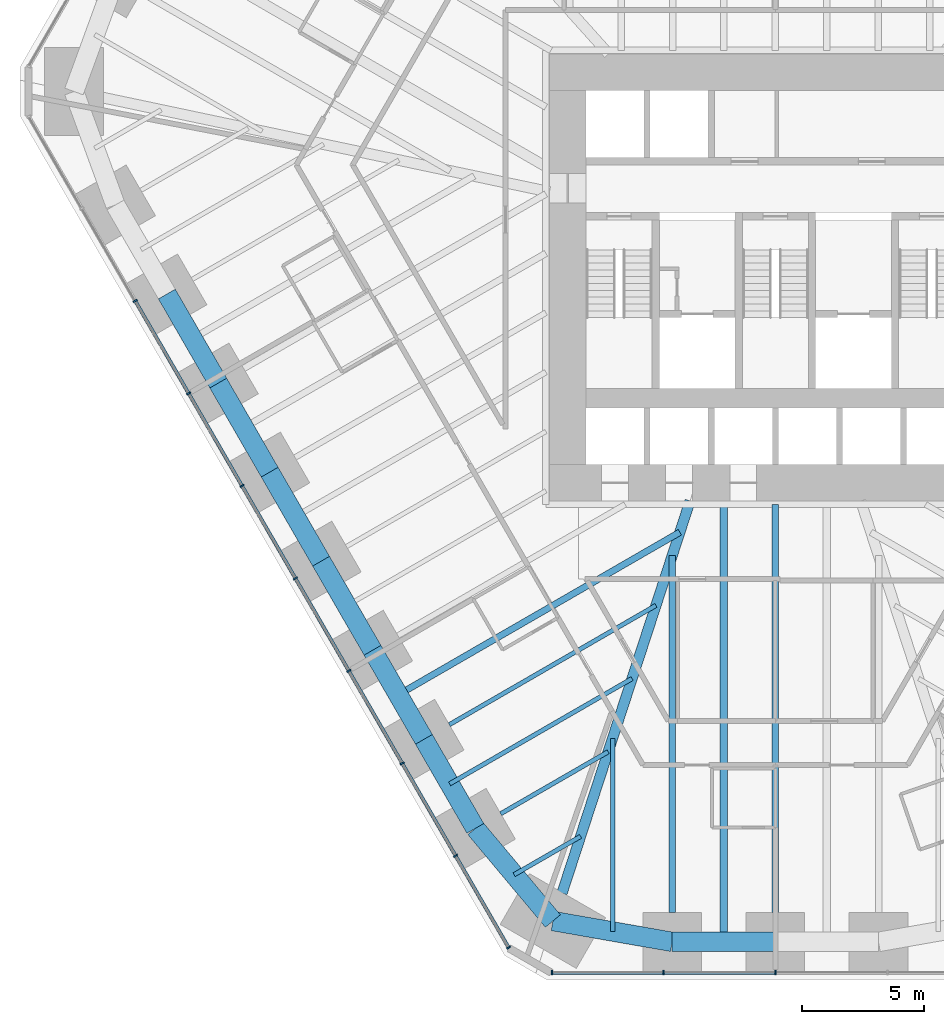
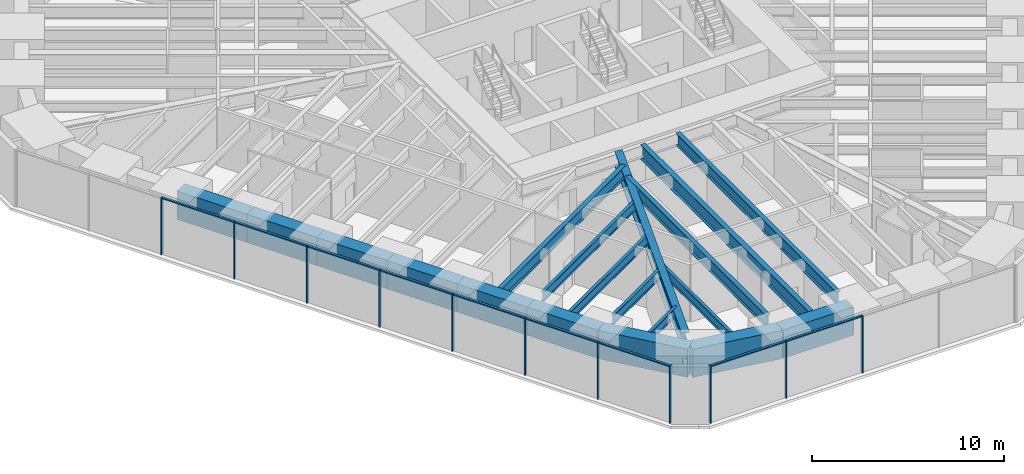
# One storey, part 2 of 17: 20 members, 19 beams, 2 elements without a shape of their own.
"""IFC4 building model written with IfcOpenShell, lengths in metres."""

from ifc_helpers import new_model, si_unit, direction, frame, origin, origin_2d, place, context, subcontext, project, spatial, rectangle, i_section, extrude, material, material_profile, profile_set, type_object, element, aggregate, save


model = new_model("IFC4")

# Units and contexts
model_context = context("Model", 3, precision=1e-05, world=origin(), true_north=direction((0.0, 1.0)))
body_context = subcontext(model_context, "Body", "Model", "MODEL_VIEW")
ifc_project = project(units=[si_unit("LENGTHUNIT", "METRE"), si_unit("AREAUNIT", "SQUARE_METRE"), si_unit("VOLUMEUNIT", "CUBIC_METRE"), si_unit("PLANEANGLEUNIT", "RADIAN"), si_unit("MASSUNIT", "GRAM", prefix="KILO")], contexts=[model_context])

# Site, building, storey
site_placement = place(None, origin())
site = spatial("IfcSite", under=ifc_project, at=site_placement, CompositionType="ELEMENT")
building_placement = place(site_placement, origin())
building = spatial("IfcBuilding", under=site, at=building_placement, Name="Sandreach Pilgrim Tower", CompositionType="ELEMENT")
storey_placement = place(building_placement, frame((0.0, 0.0, 45.800048828125)))
storey = spatial("IfcBuildingStorey", under=building, at=storey_placement, Name="L10", CompositionType="ELEMENT", Elevation=45.800048828125)

# Curtain wall, members
ifc_material_1 = material(Name="Aluminium framed curtain wall", Category="aluminium")
curtain_wall_type = type_object("IfcCurtainWallType", Name="Hostel tower curtain wall", PredefinedType="NOTDEFINED", material=ifc_material_1)
curtain_wall_1_placement = place(storey_placement, origin())
curtain_wall_1 = element("IfcCurtainWall", 1, at=curtain_wall_1_placement, inside=storey, type_object=curtain_wall_type, Name="CW-1 L10 S", PredefinedType="NOTDEFINED")
ifc_material_2 = material(Name="Aluminium extrusion", Category="aluminium")
ifc_material_profile_1 = material_profile(ifc_material_2, rectangle(XDim=0.06494140625, YDim=0.179931640625, at=origin_2d()), Name="CW-1M 65X180")
ifc_profile_set_1 = profile_set([ifc_material_profile_1], Name="Aluminium extrusion")
member_type_1 = type_object("IfcMemberType", Name="CW-1 mullion", PredefinedType="MULLION", material=ifc_profile_set_1)
member_1_placement = place(storey_placement, frame((0.0, -30.010986328125, 0.0), z_axis=(0.0, 0.0, 1.0), x_axis=(-1.0, 0.0, 0.0)))
member_1 = element("IfcMember", 2, at=member_1_placement, type_object=member_type_1, Name="CW-1 mullion 3", PredefinedType="MULLION", context=body_context, shape_type="SweptSolid", body=[
    extrude(rectangle(XDim=0.06494140625, YDim=0.179931640625, at=origin_2d()), origin(), (0.0, 0.0, 1.0), 3.639892578125),
])
member_2_placement = place(storey_placement, frame((-4.5859375, -30.010986328125, 0.0), z_axis=(0.0, 0.0, 1.0), x_axis=(-1.0, 0.0, 0.0)))
member_2 = element("IfcMember", 3, at=member_2_placement, type_object=member_type_1, Name="CW-1 mullion 4", PredefinedType="MULLION", context=body_context, shape_type="SweptSolid", body=[
    extrude(rectangle(XDim=0.06494140625, YDim=0.179931640625, at=origin_2d()), origin(), (0.0, 0.0, 1.0), 3.639892578125),
])
member_3_placement = place(storey_placement, frame((-9.1396484375, -30.010986328125, 0.0), z_axis=(0.0, 0.0, 1.0), x_axis=(-1.0, 0.0, 0.0)))
member_3 = element("IfcMember", 4, at=member_3_placement, type_object=member_type_1, Name="CW-1 mullion 5", PredefinedType="MULLION", context=body_context, shape_type="SweptSolid", body=[
    extrude(rectangle(XDim=0.06494140625, YDim=0.179931640625, at=origin_2d()), origin(), (0.0, 0.0, 1.0), 3.639892578125),
])

curtain_wall_2_placement = place(storey_placement, origin())
curtain_wall_2 = element("IfcCurtainWall", 5, at=curtain_wall_2_placement, inside=storey, type_object=curtain_wall_type, Name="CW-1 L10 SW", PredefinedType="NOTDEFINED")
member_4_placement = place(storey_placement, frame((-10.92041015625, -28.982666015625, 0.0), z_axis=(0.0, 0.0, 1.0), x_axis=(-0.5, 0.866025403784, 0.0)))
member_4 = element("IfcMember", 6, at=member_4_placement, type_object=member_type_1, Name="CW-1 mullion 1", PredefinedType="MULLION", context=body_context, shape_type="SweptSolid", body=[
    extrude(rectangle(XDim=0.06494140625, YDim=0.179931640625, at=origin_2d()), origin(), (0.0, 0.0, 1.0), 3.639892578125),
])
member_5_placement = place(storey_placement, frame((-13.08984375, -25.22509765625, 0.0), z_axis=(0.0, 0.0, 1.0), x_axis=(-0.5, 0.866025403784, 0.0)))
member_5 = element("IfcMember", 7, at=member_5_placement, type_object=member_type_1, Name="CW-1 mullion 2", PredefinedType="MULLION", context=body_context, shape_type="SweptSolid", body=[
    extrude(rectangle(XDim=0.06494140625, YDim=0.179931640625, at=origin_2d()), origin(), (0.0, 0.0, 1.0), 3.639892578125),
])
member_6_placement = place(storey_placement, frame((-15.275634765625, -21.439208984375, 0.0), z_axis=(0.0, 0.0, 1.0), x_axis=(-0.5, 0.866025403784, 0.0)))
member_6 = element("IfcMember", 8, at=member_6_placement, type_object=member_type_1, Name="CW-1 mullion 3", PredefinedType="MULLION", context=body_context, shape_type="SweptSolid", body=[
    extrude(rectangle(XDim=0.06494140625, YDim=0.179931640625, at=origin_2d()), origin(), (0.0, 0.0, 1.0), 3.639892578125),
])
member_7_placement = place(storey_placement, frame((-17.46142578125, -17.6533203125, 0.0), z_axis=(0.0, 0.0, 1.0), x_axis=(-0.5, 0.866025403784, 0.0)))
member_7 = element("IfcMember", 9, at=member_7_placement, type_object=member_type_1, Name="CW-1 mullion 4", PredefinedType="MULLION", context=body_context, shape_type="SweptSolid", body=[
    extrude(rectangle(XDim=0.06494140625, YDim=0.179931640625, at=origin_2d()), origin(), (0.0, 0.0, 1.0), 3.639892578125),
])
member_8_placement = place(storey_placement, frame((-19.647216796875, -13.8671875, 0.0), z_axis=(0.0, 0.0, 1.0), x_axis=(-0.5, 0.866025403784, 0.0)))
member_8 = element("IfcMember", 10, at=member_8_placement, type_object=member_type_1, Name="CW-1 mullion 5", PredefinedType="MULLION", context=body_context, shape_type="SweptSolid", body=[
    extrude(rectangle(XDim=0.06494140625, YDim=0.179931640625, at=origin_2d()), origin(), (0.0, 0.0, 1.0), 3.639892578125),
])
member_9_placement = place(storey_placement, frame((-21.8330078125, -10.081298828125, 0.0), z_axis=(0.0, 0.0, 1.0), x_axis=(-0.5, 0.866025403784, 0.0)))
member_9 = element("IfcMember", 11, at=member_9_placement, type_object=member_type_1, Name="CW-1 mullion 6", PredefinedType="MULLION", context=body_context, shape_type="SweptSolid", body=[
    extrude(rectangle(XDim=0.06494140625, YDim=0.179931640625, at=origin_2d()), origin(), (0.0, 0.0, 1.0), 3.639892578125),
])
member_10_placement = place(storey_placement, frame((-24.018798828125, -6.29541015625, 0.0), z_axis=(0.0, 0.0, 1.0), x_axis=(-0.5, 0.866025403784, 0.0)))
member_10 = element("IfcMember", 12, at=member_10_placement, type_object=member_type_1, Name="CW-1 mullion 7", PredefinedType="MULLION", context=body_context, shape_type="SweptSolid", body=[
    extrude(rectangle(XDim=0.06494140625, YDim=0.179931640625, at=origin_2d()), origin(), (0.0, 0.0, 1.0), 3.639892578125),
])
member_11_placement = place(storey_placement, frame((-26.20458984375, -2.509521484375, 0.0), z_axis=(0.0, 0.0, 1.0), x_axis=(-0.5, 0.866025403784, 0.0)))
member_11 = element("IfcMember", 13, at=member_11_placement, type_object=member_type_1, Name="CW-1 mullion 8", PredefinedType="MULLION", context=body_context, shape_type="SweptSolid", body=[
    extrude(rectangle(XDim=0.06494140625, YDim=0.179931640625, at=origin_2d()), origin(), (0.0, 0.0, 1.0), 3.639892578125),
])

# Member
ifc_material_3 = material(Name="Aluminium extrusion", Category="aluminium")
ifc_material_profile_2 = material_profile(ifc_material_3, rectangle(XDim=0.139892578125, YDim=0.070068359375, at=origin_2d()), Name="CW-1T 140X70")
ifc_profile_set_2 = profile_set([ifc_material_profile_2], Name="Aluminium extrusion")
member_type_2 = type_object("IfcMemberType", Name="CW-1 transom", PredefinedType="USERDEFINED", material=ifc_profile_set_2)
member_12_placement = place(storey_placement, frame((-0.032470703125, -30.010986328125, 3.60498046875), z_axis=(-1.0, 0.0, 0.0), x_axis=(0.0, -1.0, 0.0)))
member_12 = element("IfcMember", 14, at=member_12_placement, type_object=member_type_2, Name="CW-1 head transom 3", ObjectType="TRANSOM", PredefinedType="USERDEFINED", context=body_context, shape_type="SweptSolid", body=[
    extrude(rectangle(XDim=0.139892578125, YDim=0.070068359375, at=origin_2d()), origin(), (0.0, 0.0, 1.0), 4.52099609375),
])

member_13_placement = place(storey_placement, frame((-4.61865234375, -30.010986328125, 3.60498046875), z_axis=(-1.0, 0.0, 0.0), x_axis=(0.0, -1.0, 0.0)))
member_13 = element("IfcMember", 15, at=member_13_placement, type_object=member_type_2, Name="CW-1 head transom 4", ObjectType="TRANSOM", PredefinedType="USERDEFINED", context=body_context, shape_type="SweptSolid", body=[
    extrude(rectangle(XDim=0.139892578125, YDim=0.070068359375, at=origin_2d()), origin(), (0.0, 0.0, 1.0), 4.488525390625),
])

aggregate(curtain_wall_1, [member_1, member_2, member_3, member_12, member_13])

member_14_placement = place(storey_placement, frame((-10.9365234375, -28.95458984375, 3.60498046875), z_axis=(-0.500033953635, 0.866005799756, 0.0), x_axis=(-0.866005799756, -0.500033953635, 0.0)))
member_14 = element("IfcMember", 16, at=member_14_placement, type_object=member_type_2, Name="CW-1 head transom 1", ObjectType="TRANSOM", PredefinedType="USERDEFINED", context=body_context, shape_type="SweptSolid", body=[
    extrude(rectangle(XDim=0.139892578125, YDim=0.070068359375, at=origin_2d()), origin(), (0.0, 0.0, 1.0), 4.274169921875),
])

member_15_placement = place(storey_placement, frame((-13.106201171875, -25.19677734375, 3.60498046875), z_axis=(-0.500016891966, 0.866015650984, 0.0), x_axis=(-0.866015650984, -0.500016891966, 0.0)))
member_15 = element("IfcMember", 17, at=member_15_placement, type_object=member_type_2, Name="CW-1 head transom 2", ObjectType="TRANSOM", PredefinedType="USERDEFINED", context=body_context, shape_type="SweptSolid", body=[
    extrude(rectangle(XDim=0.139892578125, YDim=0.070068359375, at=origin_2d()), origin(), (0.0, 0.0, 1.0), 4.306396484375),
])

member_16_placement = place(storey_placement, frame((-15.2919921875, -21.410888671875, 3.60498046875), z_axis=(-0.500016891966, 0.866015650984, 0.0), x_axis=(-0.866015650984, -0.500016891966, 0.0)))
member_16 = element("IfcMember", 18, at=member_16_placement, type_object=member_type_2, Name="CW-1 head transom 3", ObjectType="TRANSOM", PredefinedType="USERDEFINED", context=body_context, shape_type="SweptSolid", body=[
    extrude(rectangle(XDim=0.139892578125, YDim=0.070068359375, at=origin_2d()), origin(), (0.0, 0.0, 1.0), 4.306396484375),
])

member_17_placement = place(storey_placement, frame((-17.477783203125, -17.625, 3.60498046875), z_axis=(-0.500016891966, 0.866015650984, 0.0), x_axis=(-0.866015650984, -0.500016891966, 0.0)))
member_17 = element("IfcMember", 19, at=member_17_placement, type_object=member_type_2, Name="CW-1 head transom 4", ObjectType="TRANSOM", PredefinedType="USERDEFINED", context=body_context, shape_type="SweptSolid", body=[
    extrude(rectangle(XDim=0.139892578125, YDim=0.070068359375, at=origin_2d()), origin(), (0.0, 0.0, 1.0), 4.306396484375),
])

member_18_placement = place(storey_placement, frame((-19.66357421875, -13.839111328125, 3.60498046875), z_axis=(-0.500016891966, 0.866015650984, 0.0), x_axis=(-0.866015650984, -0.500016891966, 0.0)))
member_18 = element("IfcMember", 20, at=member_18_placement, type_object=member_type_2, Name="CW-1 head transom 5", ObjectType="TRANSOM", PredefinedType="USERDEFINED", context=body_context, shape_type="SweptSolid", body=[
    extrude(rectangle(XDim=0.139892578125, YDim=0.070068359375, at=origin_2d()), origin(), (0.0, 0.0, 1.0), 4.306396484375),
])

member_19_placement = place(storey_placement, frame((-21.849365234375, -10.05322265625, 3.60498046875), z_axis=(-0.500016891966, 0.866015650984, 0.0), x_axis=(-0.866015650984, -0.500016891966, 0.0)))
member_19 = element("IfcMember", 21, at=member_19_placement, type_object=member_type_2, Name="CW-1 head transom 6", ObjectType="TRANSOM", PredefinedType="USERDEFINED", context=body_context, shape_type="SweptSolid", body=[
    extrude(rectangle(XDim=0.139892578125, YDim=0.070068359375, at=origin_2d()), origin(), (0.0, 0.0, 1.0), 4.306396484375),
])

member_20_placement = place(storey_placement, frame((-24.03515625, -6.267333984375, 3.60498046875), z_axis=(-0.500016891966, 0.866015650984, 0.0), x_axis=(-0.866015650984, -0.500016891966, 0.0)))
member_20 = element("IfcMember", 22, at=member_20_placement, type_object=member_type_2, Name="CW-1 head transom 7", ObjectType="TRANSOM", PredefinedType="USERDEFINED", context=body_context, shape_type="SweptSolid", body=[
    extrude(rectangle(XDim=0.139892578125, YDim=0.070068359375, at=origin_2d()), origin(), (0.0, 0.0, 1.0), 4.306396484375),
])

aggregate(curtain_wall_2, [member_4, member_5, member_6, member_7, member_8, member_9, member_10, member_11, member_14, member_15, member_16, member_17, member_18, member_19, member_20])

# Beams
ifc_material_4 = material(Name="Steel ASTM A992 Grade 50", Category="steel")
ifc_material_profile_3 = material_profile(ifc_material_4, i_section(OverallWidth=0.424072265625, OverallDepth=0.965087890625, WebThickness=0.028564453125, FlangeThickness=0.051025390625, at=origin_2d()), Name="W36X361")
ifc_profile_set_3 = profile_set([ifc_material_profile_3], Name="Steel ASTM A992 Grade 50")
beam_type_1 = type_object("IfcBeamType", Name="Corner girder W36X361", PredefinedType="BEAM", material=ifc_profile_set_3)
beam_1_placement = place(storey_placement, frame((-8.73388671875, -26.756103515625, 3.157470703125), z_axis=(0.310315410754, 0.950633654911, 0.0), x_axis=(-0.950633654911, 0.310315410754, 0.0)))
element("IfcBeam", 23, at=beam_1_placement, inside=storey, type_object=beam_type_1, Name="BM L10 CG26", PredefinedType="BEAM", context=body_context, shape_type="SweptSolid", body=[
    extrude(i_section(OverallWidth=0.424072265625, OverallDepth=0.965087890625, WebThickness=0.028564453125, FlangeThickness=0.051025390625, at=origin_2d()), origin(), (0.0, 0.0, 1.0), 16.889892578125),
])
ifc_material_5 = material(Name="Steel ASTM A992 Grade 50", Category="steel")
ifc_material_profile_4 = material_profile(ifc_material_5, i_section(OverallWidth=0.1787109375, OverallDepth=0.60205078125, WebThickness=0.010986328125, FlangeThickness=0.014892578125, at=origin_2d()), Name="W24X62")
ifc_profile_set_4 = profile_set([ifc_material_profile_4], Name="Steel ASTM A992 Grade 50")
beam_type_2 = type_object("IfcBeamType", Name="Floor beam W24X62", PredefinedType="BEAM", material=ifc_profile_set_4)
beam_2_placement = place(storey_placement, frame((-11.242431640625, -23.5048828125, 3.3388671875), z_axis=(0.866027897259, 0.49999568115, 0.0), x_axis=(-0.49999568115, 0.866027897259, 0.0)))
element("IfcBeam", 24, at=beam_2_placement, inside=storey, type_object=beam_type_2, Name="BM L10 F27", PredefinedType="BEAM", context=body_context, shape_type="SweptSolid", body=[
    extrude(i_section(OverallWidth=0.1787109375, OverallDepth=0.60205078125, WebThickness=0.010986328125, FlangeThickness=0.014892578125, at=origin_2d()), origin(), (0.0, 0.0, 1.0), 5.0791015625),
])
beam_3_placement = place(storey_placement, frame((-13.347412109375, -19.859130859375, 3.3388671875), z_axis=(0.866025751498, 0.499999397742, 0.0), x_axis=(-0.499999397742, 0.866025751498, 0.0)))
element("IfcBeam", 25, at=beam_3_placement, inside=storey, type_object=beam_type_2, Name="BM L10 F28", PredefinedType="BEAM", context=body_context, shape_type="SweptSolid", body=[
    extrude(i_section(OverallWidth=0.1787109375, OverallDepth=0.60205078125, WebThickness=0.010986328125, FlangeThickness=0.014892578125, at=origin_2d()), origin(), (0.0, 0.0, 1.0), 9.767578125),
])
beam_4_placement = place(storey_placement, frame((-6.664306640625, -28.323974609375, 3.3388671875), z_axis=(0.0, 1.0, 0.0), x_axis=(-1.0, 0.0, 0.0)))
element("IfcBeam", 26, at=beam_4_placement, inside=storey, type_object=beam_type_2, Name="BM L10 FM25", PredefinedType="BEAM", context=body_context, shape_type="SweptSolid", body=[
    extrude(i_section(OverallWidth=0.1787109375, OverallDepth=0.60205078125, WebThickness=0.010986328125, FlangeThickness=0.014892578125, at=origin_2d()), origin(), (0.0, 0.0, 1.0), 7.907958984375),
])
beam_5_placement = place(storey_placement, frame((-10.694091796875, -26.0009765625, 3.3388671875), z_axis=(0.866023718453, 0.500002919068, 0.0), x_axis=(-0.500002919068, 0.866023718453, 0.0)))
element("IfcBeam", 27, at=beam_5_placement, inside=storey, type_object=beam_type_2, Name="BM L10 FM26", PredefinedType="BEAM", context=body_context, shape_type="SweptSolid", body=[
    extrude(i_section(OverallWidth=0.1787109375, OverallDepth=0.60205078125, WebThickness=0.010986328125, FlangeThickness=0.014892578125, at=origin_2d()), origin(), (0.0, 0.0, 1.0), 3.1396484375),
])
beam_6_placement = place(storey_placement, frame((-13.334228515625, -22.281982421875, 3.3388671875), z_axis=(0.86602717807, 0.499996926835, 0.0), x_axis=(-0.499996926835, 0.86602717807, 0.0)))
element("IfcBeam", 28, at=beam_6_placement, inside=storey, type_object=beam_type_2, Name="BM L10 FM27", PredefinedType="BEAM", context=body_context, shape_type="SweptSolid", body=[
    extrude(i_section(OverallWidth=0.1787109375, OverallDepth=0.60205078125, WebThickness=0.010986328125, FlangeThickness=0.014892578125, at=origin_2d()), origin(), (0.0, 0.0, 1.0), 8.62353515625),
])
ifc_material_6 = material(Name="Steel ASTM A992 Grade 50", Category="steel")
ifc_material_profile_5 = material_profile(ifc_material_6, i_section(OverallWidth=0.2666015625, OverallDepth=0.761962890625, WebThickness=0.014404296875, FlangeThickness=0.021484375, at=origin_2d()), Name="W30X116")
ifc_profile_set_5 = profile_set([ifc_material_profile_5], Name="Steel ASTM A992 Grade 50")
beam_type_3 = type_object("IfcBeamType", Name="Floor beam W30X116", PredefinedType="BEAM", material=ifc_profile_set_5)
beam_7_placement = place(storey_placement, frame((-4.222412109375, -27.55078125, 3.259033203125), z_axis=(0.0, 1.0, 0.0), x_axis=(-1.0, 0.0, 0.0)))
element("IfcBeam", 29, at=beam_7_placement, inside=storey, type_object=beam_type_3, Name="BM L10 F25", PredefinedType="BEAM", context=body_context, shape_type="SweptSolid", body=[
    extrude(i_section(OverallWidth=0.2666015625, OverallDepth=0.761962890625, WebThickness=0.014404296875, FlangeThickness=0.021484375, at=origin_2d()), origin(), (0.0, 0.0, 1.0), 14.61572265625),
])
beam_8_placement = place(storey_placement, frame((-15.43896484375, -18.63623046875, 3.259033203125), z_axis=(0.866021271874, 0.50000715661, 0.0), x_axis=(-0.50000715661, 0.866021271874, 0.0)))
element("IfcBeam", 30, at=beam_8_placement, inside=storey, type_object=beam_type_3, Name="BM L10 FM28", PredefinedType="BEAM", context=body_context, shape_type="SweptSolid", body=[
    extrude(i_section(OverallWidth=0.2666015625, OverallDepth=0.761962890625, WebThickness=0.014404296875, FlangeThickness=0.021484375, at=origin_2d()), origin(), (0.0, 0.0, 1.0), 13.311767578125),
])
ifc_material_7 = material(Name="Steel ASTM A992 Grade 50", Category="steel")
ifc_material_profile_6 = material_profile(ifc_material_7, i_section(OverallWidth=0.2666015625, OverallDepth=0.77978515625, WebThickness=0.0166015625, FlangeThickness=0.030029296875, at=origin_2d()), Name="W30X148")
ifc_profile_set_6 = profile_set([ifc_material_profile_6], Name="Steel ASTM A992 Grade 50")
beam_type_4 = type_object("IfcBeamType", Name="Floor beam W30X148", PredefinedType="BEAM", material=ifc_profile_set_6)
beam_9_placement = place(storey_placement, frame((0.0, -27.55078125, 3.25), z_axis=(0.0, 1.0, 0.0), x_axis=(-1.0, 0.0, 0.0)))
element("IfcBeam", 31, at=beam_9_placement, inside=storey, type_object=beam_type_4, Name="BM L10 F24", PredefinedType="BEAM", context=body_context, shape_type="SweptSolid", body=[
    extrude(i_section(OverallWidth=0.2666015625, OverallDepth=0.77978515625, WebThickness=0.0166015625, FlangeThickness=0.030029296875, at=origin_2d()), origin(), (0.0, 0.0, 1.0), 16.70751953125),
])
ifc_material_8 = material(Name="Steel ASTM A992 Grade 50", Category="steel")
ifc_material_profile_7 = material_profile(ifc_material_8, i_section(OverallWidth=0.3046875, OverallDepth=0.914306640625, WebThickness=0.0166015625, FlangeThickness=0.02587890625, at=origin_2d()), Name="W36X160")
ifc_profile_set_7 = profile_set([ifc_material_profile_7], Name="Steel ASTM A992 Grade 50")
beam_type_5 = type_object("IfcBeamType", Name="Floor beam W36X160", PredefinedType="BEAM", material=ifc_profile_set_7)
beam_10_placement = place(storey_placement, frame((-2.111083984375, -28.7509765625, 3.182861328125), z_axis=(0.0, 1.0, 0.0), x_axis=(-1.0, 0.0, 0.0)))
element("IfcBeam", 32, at=beam_10_placement, inside=storey, type_object=beam_type_5, Name="BM L10 FM24", PredefinedType="BEAM", context=body_context, shape_type="SweptSolid", body=[
    extrude(i_section(OverallWidth=0.3046875, OverallDepth=0.914306640625, WebThickness=0.0166015625, FlangeThickness=0.02587890625, at=origin_2d()), origin(), (0.0, 0.0, 1.0), 17.90771484375),
])
ifc_material_9 = material(Name="Concrete 10000 psi", Category="concrete")
ifc_material_profile_8 = material_profile(ifc_material_9, rectangle(XDim=0.800048828125, YDim=1.800048828125, at=origin_2d()), Name="RC800X1800")
ifc_profile_set_8 = profile_set([ifc_material_profile_8], Name="Concrete 10000 psi")
beam_type_6 = type_object("IfcBeamType", Name="Spandrel beam RC800X1800", PredefinedType="SPANDREL", material=ifc_profile_set_8)
beam_11_placement = place(storey_placement, frame((0.0, -28.7509765625, 2.739990234375), z_axis=(-1.0, 0.0, 0.0), x_axis=(0.0, -1.0, 0.0)))
element("IfcBeam", 33, at=beam_11_placement, inside=storey, type_object=beam_type_6, Name="BM L10 SP24", PredefinedType="SPANDREL", context=body_context, shape_type="SweptSolid", body=[
    extrude(rectangle(XDim=0.800048828125, YDim=1.800048828125, at=origin_2d()), origin(), (0.0, 0.0, 1.0), 4.222412109375),
])
beam_12_placement = place(storey_placement, frame((-4.222412109375, -28.7509765625, 2.739990234375), z_axis=(-0.985054495501, 0.17224297052, 0.0), x_axis=(-0.17224297052, -0.985054495501, 0.0)))
element("IfcBeam", 34, at=beam_12_placement, inside=storey, type_object=beam_type_6, Name="BM L10 SP25", PredefinedType="SPANDREL", context=body_context, shape_type="SweptSolid", body=[
    extrude(rectangle(XDim=0.800048828125, YDim=1.800048828125, at=origin_2d()), origin(), (0.0, 0.0, 1.0), 4.958251953125),
])
beam_13_placement = place(storey_placement, frame((-9.1064453125, -27.89697265625, 2.739990234375), z_axis=(-0.642008193922, 0.766697775488, 0.0), x_axis=(-0.766697775488, -0.642008193922, 0.0)))
element("IfcBeam", 35, at=beam_13_placement, inside=storey, type_object=beam_type_6, Name="BM L10 SP26", PredefinedType="SPANDREL", context=body_context, shape_type="SweptSolid", body=[
    extrude(rectangle(XDim=0.800048828125, YDim=1.800048828125, at=origin_2d()), origin(), (0.0, 0.0, 1.0), 4.94580078125),
])
beam_14_placement = place(storey_placement, frame((-12.28173828125, -24.10498046875, 2.739990234375), z_axis=(-0.499993523031, 0.866029143232, 0.0), x_axis=(-0.866029143232, -0.499993523031, 0.0)))
element("IfcBeam", 36, at=beam_14_placement, inside=storey, type_object=beam_type_6, Name="BM L10 SP27", PredefinedType="SPANDREL", context=body_context, shape_type="SweptSolid", body=[
    extrude(rectangle(XDim=0.800048828125, YDim=1.800048828125, at=origin_2d()), origin(), (0.0, 0.0, 1.0), 4.2099609375),
])
beam_15_placement = place(storey_placement, frame((-14.38671875, -20.458984375, 2.739990234375), z_axis=(-0.499975138639, 0.866039757022, 0.0), x_axis=(-0.866039757022, -0.499975138639, 0.0)))
element("IfcBeam", 37, at=beam_15_placement, inside=storey, type_object=beam_type_6, Name="BM L10 SP28", PredefinedType="SPANDREL", context=body_context, shape_type="SweptSolid", body=[
    extrude(rectangle(XDim=0.800048828125, YDim=1.800048828125, at=origin_2d()), origin(), (0.0, 0.0, 1.0), 4.209716796875),
])
beam_16_placement = place(storey_placement, frame((-16.491455078125, -16.813232421875, 2.739990234375), z_axis=(-0.499993523031, 0.866029143232, 0.0), x_axis=(-0.866029143232, -0.499993523031, 0.0)))
element("IfcBeam", 38, at=beam_16_placement, inside=storey, type_object=beam_type_6, Name="BM L10 SP29", PredefinedType="SPANDREL", context=body_context, shape_type="SweptSolid", body=[
    extrude(rectangle(XDim=0.800048828125, YDim=1.800048828125, at=origin_2d()), origin(), (0.0, 0.0, 1.0), 4.2099609375),
])
beam_17_placement = place(storey_placement, frame((-18.596435546875, -13.167236328125, 2.739990234375), z_axis=(-0.50001863446, 0.866014644907, 0.0), x_axis=(-0.866014644907, -0.50001863446, 0.0)))
element("IfcBeam", 39, at=beam_17_placement, inside=storey, type_object=beam_type_6, Name="BM L10 SP30", PredefinedType="SPANDREL", context=body_context, shape_type="SweptSolid", body=[
    extrude(rectangle(XDim=0.800048828125, YDim=1.800048828125, at=origin_2d()), origin(), (0.0, 0.0, 1.0), 4.209716796875),
])
beam_18_placement = place(storey_placement, frame((-20.701416015625, -9.521484375, 2.739990234375), z_axis=(-0.499993523031, 0.866029143232, 0.0), x_axis=(-0.866029143232, -0.499993523031, 0.0)))
element("IfcBeam", 40, at=beam_18_placement, inside=storey, type_object=beam_type_6, Name="BM L10 SP31", PredefinedType="SPANDREL", context=body_context, shape_type="SweptSolid", body=[
    extrude(rectangle(XDim=0.800048828125, YDim=1.800048828125, at=origin_2d()), origin(), (0.0, 0.0, 1.0), 4.2099609375),
])
beam_19_placement = place(storey_placement, frame((-22.806396484375, -5.87548828125, 2.739990234375), z_axis=(-0.50001863446, 0.866014644907, 0.0), x_axis=(-0.866014644907, -0.50001863446, 0.0)))
element("IfcBeam", 41, at=beam_19_placement, inside=storey, type_object=beam_type_6, Name="BM L10 SP32", PredefinedType="SPANDREL", context=body_context, shape_type="SweptSolid", body=[
    extrude(rectangle(XDim=0.800048828125, YDim=1.800048828125, at=origin_2d()), origin(), (0.0, 0.0, 1.0), 4.209716796875),
])

save(model, "model.ifc")
